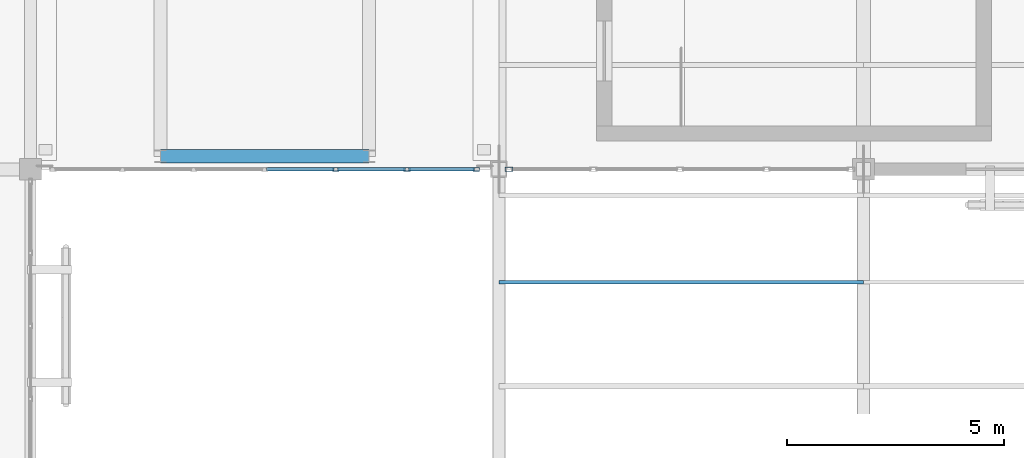
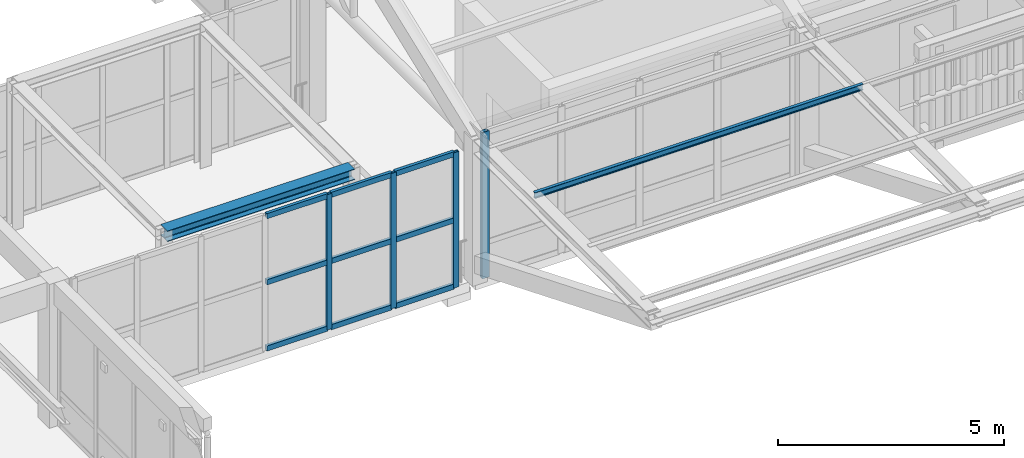
# One storey, part 61 of 217: 14 members, 1 beam, 2 elements without a shape of their own.
"""IFC4 building model written with IfcOpenShell, lengths in metres."""

from ifc_helpers import new_model, si_unit, direction, frame, origin, origin_2d, place, context, subcontext, project, spatial, hollow_rectangle, i_section, extrude, material, layer, layer_set, material_profile, profile_set, type_object, element, aggregate, save


model = new_model("IFC4")

# Units and contexts
model_context = context("Model", 3, precision=1e-05, world=origin(), true_north=direction((0.0, 1.0)))
body_context = subcontext(model_context, "Body", "Model", "MODEL_VIEW")
ifc_project = project(units=[si_unit("LENGTHUNIT", "METRE"), si_unit("AREAUNIT", "SQUARE_METRE"), si_unit("VOLUMEUNIT", "CUBIC_METRE"), si_unit("PLANEANGLEUNIT", "RADIAN"), si_unit("MASSUNIT", "GRAM", prefix="KILO")], contexts=[model_context])

# Site, building, storey
site_placement = place(None, origin())
site = spatial("IfcSite", under=ifc_project, at=site_placement, CompositionType="ELEMENT")
building_placement = place(site_placement, origin())
building = spatial("IfcBuilding", under=site, at=building_placement, Name="Mazaris Harbour Polytechnic", CompositionType="ELEMENT")
storey_placement = place(building_placement, frame((0.0, 0.0, 9.60009765625)))
storey = spatial("IfcBuildingStorey", under=building, at=storey_placement, Name="L02", CompositionType="ELEMENT", Elevation=9.60009765625)

# Curtain wall, member
ifc_material_1 = material(Name="Anodised Bronze Aluminium and Low-E Glass", Category="aluminium")
ifc_layer_1 = layer(ifc_material_1, 0.14990234375, Name="Anodised Bronze Aluminium and Low-E Glass")
ifc_layer_set_1 = layer_set([ifc_layer_1], Name="Anodised Bronze Aluminium and Low-E Glass")
curtain_wall_type_1 = type_object("IfcCurtainWallType", Name="Workshop Clerestory Curtain Wall", PredefinedType="NOTDEFINED", material=ifc_layer_set_1)
curtain_wall_1_placement = place(storey_placement, origin())
curtain_wall_1 = element("IfcCurtainWall", 1, at=curtain_wall_1_placement, inside=storey, type_object=curtain_wall_type_1, Name="V1 L02 Curtain Wall 25", PredefinedType="NOTDEFINED")
ifc_material_2 = material(Name="Anodised Bronze Steel S355", Category="steel")
ifc_material_profile_1 = material_profile(ifc_material_2, hollow_rectangle(XDim=0.10009765625, YDim=0.179931640625, WallThickness=0.008056640625, at=origin_2d()), Name="RHS 100x180x8.0")
ifc_profile_set_1 = profile_set([ifc_material_profile_1], Name="Anodised Bronze Steel S355")
member_type_1 = type_object("IfcMemberType", Name="Curtain Mullion RHS100x180", PredefinedType="MULLION", material=ifc_profile_set_1)
member_1_placement = place(storey_placement, frame((54.23193359375, 75.60009765625, 0.0), z_axis=(0.0, 0.0, 1.0), x_axis=(0.0, -1.0, 0.0)))
member_1 = element("IfcMember", 2, at=member_1_placement, type_object=member_type_1, Name="CW-04 mullion 5", PredefinedType="MULLION", context=body_context, shape_type="SweptSolid", body=[
    extrude(hollow_rectangle(XDim=0.10009765625, YDim=0.179931640625, WallThickness=0.008056640625, at=origin_2d()), origin(), (0.0, 0.0, 1.0), 3.9599609375),
])
aggregate(curtain_wall_1, [member_1])

# Curtain wall, members
ifc_material_3 = material(Name="Anodised Bronze Aluminium and Low-E Glass", Category="aluminium")
ifc_layer_2 = layer(ifc_material_3, 0.139892578125, Name="Anodised Bronze Aluminium and Low-E Glass")
ifc_layer_set_2 = layer_set([ifc_layer_2], Name="Anodised Bronze Aluminium and Low-E Glass")
curtain_wall_type_2 = type_object("IfcCurtainWallType", Name="Seismic Link Bridge Glazing", PredefinedType="NOTDEFINED", material=ifc_layer_set_2)
curtain_wall_2_placement = place(storey_placement, origin())
curtain_wall_2 = element("IfcCurtainWall", 3, at=curtain_wall_2_placement, inside=storey, type_object=curtain_wall_type_2, Name="PB-W2 L02 Bridge Glazing", PredefinedType="NOTDEFINED")
ifc_material_4 = material(Name="Anodised Bronze Steel S355", Category="steel")
ifc_material_profile_2 = material_profile(ifc_material_4, hollow_rectangle(XDim=0.080078125, YDim=0.139892578125, WallThickness=0.00634765625, at=origin_2d()), Name="RHS 80x140x6.3")
ifc_profile_set_2 = profile_set([ifc_material_profile_2], Name="Anodised Bronze Steel S355")
member_type_2 = type_object("IfcMemberType", Name="Curtain Mullion RHS80x140", PredefinedType="MULLION", material=ifc_profile_set_2)
member_2_placement = place(storey_placement, frame((50.239990234375, 75.60009765625, 0.0), z_axis=(0.0, 0.0, 1.0), x_axis=(0.0, 1.0, 0.0)))
member_2 = element("IfcMember", 4, at=member_2_placement, type_object=member_type_2, Name="CW-05 mullion 5", PredefinedType="MULLION", context=body_context, shape_type="SweptSolid", body=[
    extrude(hollow_rectangle(XDim=0.080078125, YDim=0.139892578125, WallThickness=0.00634765625, at=origin_2d()), origin(), (0.0, 0.0, 1.0), 3.659912109375),
])
member_3_placement = place(storey_placement, frame((51.8798828125, 75.60009765625, 0.0), z_axis=(0.0, 0.0, 1.0), x_axis=(0.0, 1.0, 0.0)))
member_3 = element("IfcMember", 5, at=member_3_placement, type_object=member_type_2, Name="CW-05 mullion 6", PredefinedType="MULLION", context=body_context, shape_type="SweptSolid", body=[
    extrude(hollow_rectangle(XDim=0.080078125, YDim=0.139892578125, WallThickness=0.00634765625, at=origin_2d()), origin(), (0.0, 0.0, 1.0), 3.659912109375),
])
member_4_placement = place(storey_placement, frame((53.47998046875, 75.60009765625, 0.0), z_axis=(0.0, 0.0, 1.0), x_axis=(0.0, 1.0, 0.0)))
member_4 = element("IfcMember", 6, at=member_4_placement, type_object=member_type_2, Name="CW-05 mullion 7", PredefinedType="MULLION", context=body_context, shape_type="SweptSolid", body=[
    extrude(hollow_rectangle(XDim=0.080078125, YDim=0.139892578125, WallThickness=0.00634765625, at=origin_2d()), origin(), (0.0, 0.0, 1.0), 3.659912109375),
])
ifc_material_5 = material(Name="Anodised Bronze Steel S355", Category="steel")
ifc_material_profile_3 = material_profile(ifc_material_5, hollow_rectangle(XDim=0.080078125, YDim=0.139892578125, WallThickness=0.00634765625, at=origin_2d()), Name="RHS 80x140x6.3")
ifc_profile_set_3 = profile_set([ifc_material_profile_3], Name="Anodised Bronze Steel S355")
member_type_3 = type_object("IfcMemberType", Name="Curtain Transom RHS80x140", PredefinedType="USERDEFINED", material=ifc_profile_set_3)
member_5_placement = place(storey_placement, frame((48.639892578125, 75.60009765625, 0.039794921875), z_axis=(1.0, 0.0, 0.0), x_axis=(0.0, 1.0, 0.0)))
member_5 = element("IfcMember", 7, at=member_5_placement, type_object=member_type_3, Name="CW-05 transom 4.1", ObjectType="TRANSOM", PredefinedType="USERDEFINED", context=body_context, shape_type="SweptSolid", body=[
    extrude(hollow_rectangle(XDim=0.080078125, YDim=0.139892578125, WallThickness=0.00634765625, at=origin_2d()), origin(), (0.0, 0.0, 1.0), 1.56005859375),
])
member_6_placement = place(storey_placement, frame((48.639892578125, 75.60009765625, 1.829833984375), z_axis=(1.0, 0.0, 0.0), x_axis=(0.0, 1.0, 0.0)))
member_6 = element("IfcMember", 8, at=member_6_placement, type_object=member_type_3, Name="CW-05 transom 4.2", ObjectType="TRANSOM", PredefinedType="USERDEFINED", context=body_context, shape_type="SweptSolid", body=[
    extrude(hollow_rectangle(XDim=0.080078125, YDim=0.139892578125, WallThickness=0.00634765625, at=origin_2d()), origin(), (0.0, 0.0, 1.0), 1.56005859375),
])
member_7_placement = place(storey_placement, frame((48.639892578125, 75.60009765625, 3.619873046875), z_axis=(1.0, 0.0, 0.0), x_axis=(0.0, 1.0, 0.0)))
member_7 = element("IfcMember", 9, at=member_7_placement, type_object=member_type_3, Name="CW-05 transom 4.3", ObjectType="TRANSOM", PredefinedType="USERDEFINED", context=body_context, shape_type="SweptSolid", body=[
    extrude(hollow_rectangle(XDim=0.080078125, YDim=0.139892578125, WallThickness=0.00634765625, at=origin_2d()), origin(), (0.0, 0.0, 1.0), 1.56005859375),
])
member_8_placement = place(storey_placement, frame((50.280029296875, 75.60009765625, 0.039794921875), z_axis=(1.0, 0.0, 0.0), x_axis=(0.0, 1.0, 0.0)))
member_8 = element("IfcMember", 10, at=member_8_placement, type_object=member_type_3, Name="CW-05 transom 5.1", ObjectType="TRANSOM", PredefinedType="USERDEFINED", context=body_context, shape_type="SweptSolid", body=[
    extrude(hollow_rectangle(XDim=0.080078125, YDim=0.139892578125, WallThickness=0.00634765625, at=origin_2d()), origin(), (0.0, 0.0, 1.0), 1.56005859375),
])
member_9_placement = place(storey_placement, frame((50.280029296875, 75.60009765625, 1.829833984375), z_axis=(1.0, 0.0, 0.0), x_axis=(0.0, 1.0, 0.0)))
member_9 = element("IfcMember", 11, at=member_9_placement, type_object=member_type_3, Name="CW-05 transom 5.2", ObjectType="TRANSOM", PredefinedType="USERDEFINED", context=body_context, shape_type="SweptSolid", body=[
    extrude(hollow_rectangle(XDim=0.080078125, YDim=0.139892578125, WallThickness=0.00634765625, at=origin_2d()), origin(), (0.0, 0.0, 1.0), 1.56005859375),
])
member_10_placement = place(storey_placement, frame((50.280029296875, 75.60009765625, 3.619873046875), z_axis=(1.0, 0.0, 0.0), x_axis=(0.0, 1.0, 0.0)))
member_10 = element("IfcMember", 12, at=member_10_placement, type_object=member_type_3, Name="CW-05 transom 5.3", ObjectType="TRANSOM", PredefinedType="USERDEFINED", context=body_context, shape_type="SweptSolid", body=[
    extrude(hollow_rectangle(XDim=0.080078125, YDim=0.139892578125, WallThickness=0.00634765625, at=origin_2d()), origin(), (0.0, 0.0, 1.0), 1.56005859375),
])
member_11_placement = place(storey_placement, frame((51.919921875, 75.60009765625, 0.039794921875), z_axis=(1.0, 0.0, 0.0), x_axis=(0.0, 1.0, 0.0)))
member_11 = element("IfcMember", 13, at=member_11_placement, type_object=member_type_3, Name="CW-05 transom 6.1", ObjectType="TRANSOM", PredefinedType="USERDEFINED", context=body_context, shape_type="SweptSolid", body=[
    extrude(hollow_rectangle(XDim=0.080078125, YDim=0.139892578125, WallThickness=0.00634765625, at=origin_2d()), origin(), (0.0, 0.0, 1.0), 1.52001953125),
])
member_12_placement = place(storey_placement, frame((51.919921875, 75.60009765625, 1.829833984375), z_axis=(1.0, 0.0, 0.0), x_axis=(0.0, 1.0, 0.0)))
member_12 = element("IfcMember", 14, at=member_12_placement, type_object=member_type_3, Name="CW-05 transom 6.2", ObjectType="TRANSOM", PredefinedType="USERDEFINED", context=body_context, shape_type="SweptSolid", body=[
    extrude(hollow_rectangle(XDim=0.080078125, YDim=0.139892578125, WallThickness=0.00634765625, at=origin_2d()), origin(), (0.0, 0.0, 1.0), 1.52001953125),
])
member_13_placement = place(storey_placement, frame((51.919921875, 75.60009765625, 3.619873046875), z_axis=(1.0, 0.0, 0.0), x_axis=(0.0, 1.0, 0.0)))
member_13 = element("IfcMember", 15, at=member_13_placement, type_object=member_type_3, Name="CW-05 transom 6.3", ObjectType="TRANSOM", PredefinedType="USERDEFINED", context=body_context, shape_type="SweptSolid", body=[
    extrude(hollow_rectangle(XDim=0.080078125, YDim=0.139892578125, WallThickness=0.00634765625, at=origin_2d()), origin(), (0.0, 0.0, 1.0), 1.52001953125),
])
aggregate(curtain_wall_2, [member_2, member_3, member_4, member_5, member_6, member_7, member_8, member_9, member_10, member_11, member_12, member_13])

# Beam
ifc_material_6 = material(Name="Steel S355", Category="steel")
ifc_material_profile_4 = material_profile(ifc_material_6, i_section(OverallWidth=0.300048828125, OverallDepth=0.2900390625, WebThickness=0.008544921875, FlangeThickness=0.013916015625, FilletRadius=0.027099609375, at=origin_2d()), Name="HEA 300")
ifc_profile_set_4 = profile_set([ifc_material_profile_4], Name="Steel S355")
beam_type = type_object("IfcBeamType", Name="Steel Beam HEA300 Exterior", PredefinedType="SPANDREL", material=ifc_profile_set_4)
beam_placement = place(storey_placement, frame((46.199951171875, 75.89990234375, 3.81494140625), z_axis=(1.0, 0.0, 0.0), x_axis=(0.0, 1.0, 0.0)))
element("IfcBeam", 16, at=beam_placement, inside=storey, type_object=beam_type, Name="PB-W2 L02 Bridge Beam 3431", PredefinedType="SPANDREL", context=body_context, shape_type="SweptSolid", body=[
    extrude(i_section(OverallWidth=0.300048828125, OverallDepth=0.2900390625, WebThickness=0.008544921875, FlangeThickness=0.013916015625, FilletRadius=0.027099609375, at=origin_2d()), origin(), (0.0, 0.0, 1.0), 4.800048828125),
])

# Member
ifc_material_7 = material(Name="Steel S355", Category="steel")
ifc_material_profile_5 = material_profile(ifc_material_7, i_section(OverallWidth=0.08203125, OverallDepth=0.159912109375, WebThickness=0.0048828125, FlangeThickness=0.00732421875, FilletRadius=0.009033203125, at=origin_2d()), Name="IPE 160")
ifc_profile_set_5 = profile_set([ifc_material_profile_5], Name="Steel S355")
member_type_4 = type_object("IfcMemberType", Name="Steel Purlin IPE160 Exterior", PredefinedType="PURLIN", material=ifc_profile_set_5)
member_14_placement = place(storey_placement, frame((54.0, 73.0, 3.875), z_axis=(1.0, 0.0, 0.0), x_axis=(0.0, 1.0, 0.0)))
element("IfcMember", 17, at=member_14_placement, inside=storey, type_object=member_type_4, Name="V1 Roof Purlin S-3", PredefinedType="PURLIN", context=body_context, shape_type="SweptSolid", body=[
    extrude(i_section(OverallWidth=0.08203125, OverallDepth=0.159912109375, WebThickness=0.0048828125, FlangeThickness=0.00732421875, FilletRadius=0.009033203125, at=origin_2d()), origin(), (0.0, 0.0, 1.0), 8.39990234375),
])

save(model, "model.ifc")
